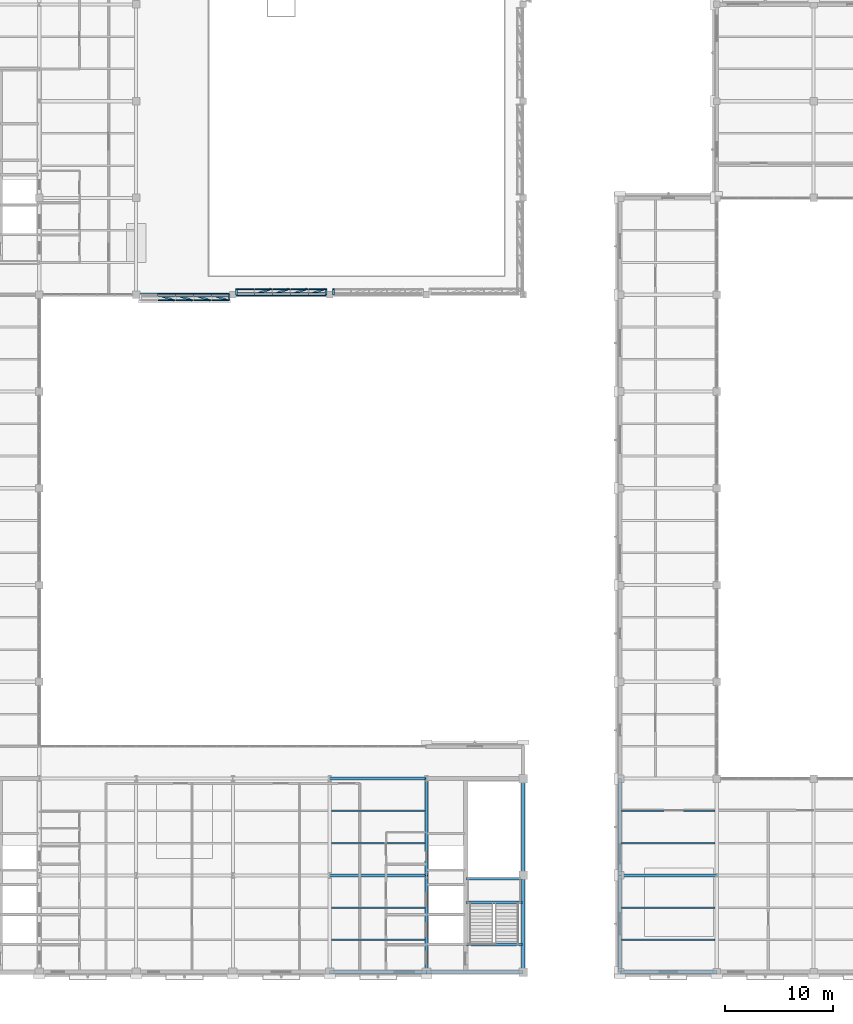
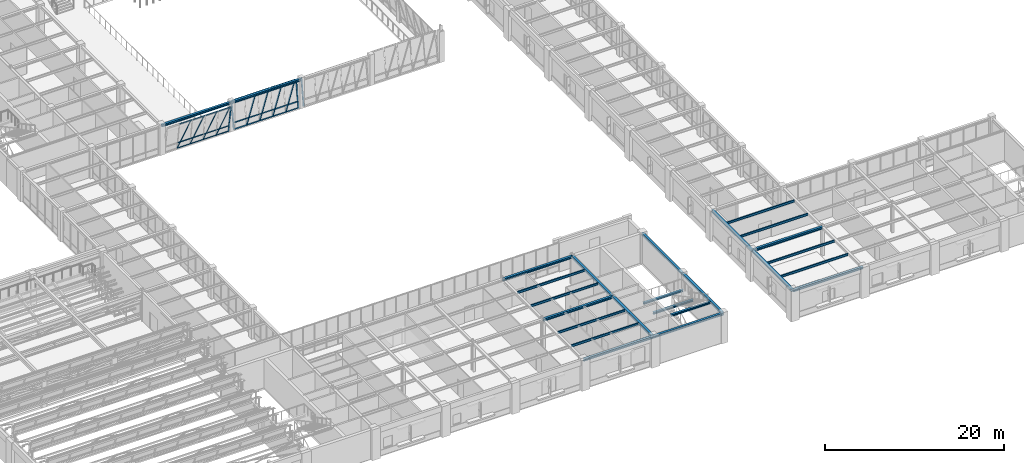
# One storey, part 46 of 108: 39 members, 25 beams, 3 elements without a shape of their own.
"""IFC4 building model written with IfcOpenShell, lengths in metres."""

from ifc_helpers import new_model, si_unit, direction, frame, origin, origin_2d, place, context, subcontext, project, spatial, hollow_rectangle, i_section, extrude, material, material_profile, profile_set, type_object, element, aggregate, save


model = new_model("IFC4")

# Units and contexts
model_context = context("Model", 3, precision=1e-05, world=origin(), true_north=direction((0.0, 1.0)))
body_context = subcontext(model_context, "Body", "Model", "MODEL_VIEW")
ifc_project = project(units=[si_unit("LENGTHUNIT", "METRE"), si_unit("AREAUNIT", "SQUARE_METRE"), si_unit("VOLUMEUNIT", "CUBIC_METRE"), si_unit("PLANEANGLEUNIT", "RADIAN"), si_unit("MASSUNIT", "GRAM", prefix="KILO")], contexts=[model_context])

# Site, building, storey
site_placement = place(None, origin())
site = spatial("IfcSite", under=ifc_project, at=site_placement, CompositionType="ELEMENT")
building_placement = place(site_placement, origin())
building = spatial("IfcBuilding", under=site, at=building_placement, Name="Lykobir Media Centre", CompositionType="ELEMENT")
storey_placement = place(building_placement, frame((0.0, 0.0, 15.0)))
storey = spatial("IfcBuildingStorey", under=building, at=storey_placement, Name="L03", CompositionType="ELEMENT", Elevation=15.0)

# Beams
ifc_material_1 = material(Name="Steel S355", Category="steel")
ifc_material_profile_1 = material_profile(ifc_material_1, i_section(OverallWidth=0.300048828125, OverallDepth=0.31005859375, WebThickness=0.009033203125, FlangeThickness=0.015380859375, at=origin_2d()), Name="HEA 320")
ifc_profile_set_1 = profile_set([ifc_material_profile_1], Name="Steel S355")
beam_type_1 = type_object("IfcBeamType", Name="BM-HEA320", PredefinedType="BEAM", material=ifc_profile_set_1)
for number, where, z_axis, x_axis, name in (
    (1, (72.0, 0.0, 3.804931640625), (0.0, 1.0, 0.0), (-1.0, 0.0, 0.0), "Beam BM-L03-0720-0000-0720-0090-1880"),
    (2, (72.0, 9.0, 3.804931640625), (0.0, 1.0, 0.0), (-1.0, 0.0, 0.0), "Beam BM-L03-0720-0090-0720-0180-1880"),
):
    element("IfcBeam", number, at=place(storey_placement, frame(where, z_axis=z_axis, x_axis=x_axis)), inside=storey, type_object=beam_type_1, Name=name, PredefinedType="BEAM", context=body_context, shape_type="SweptSolid", body=[
        extrude(i_section(OverallWidth=0.300048828125, OverallDepth=0.31005859375, WebThickness=0.009033203125, FlangeThickness=0.015380859375, at=origin_2d()), origin(), (0.0, 0.0, 1.0), 9.0),
    ])
ifc_material_profile_2 = material_profile(ifc_material_1, i_section(OverallWidth=0.300048828125, OverallDepth=0.330078125, WebThickness=0.009521484375, FlangeThickness=0.0166015625, at=origin_2d()), Name="HEA 340")
ifc_profile_set_2 = profile_set([ifc_material_profile_2], Name="Steel S355")
beam_type_2 = type_object("IfcBeamType", Name="BM-HEA340", PredefinedType="BEAM", material=ifc_profile_set_2)
for number, where, z_axis, x_axis, name in (
    (3, (63.0, 9.0, 3.794921875), (1.0, 0.0, 0.0), (0.0, 1.0, 0.0), "Beam BM-L03-0630-0090-0720-0090-1880"),
    (4, (90.0, 9.0, 3.794921875), (1.0, 0.0, 0.0), (0.0, 1.0, 0.0), "Beam BM-L03-0900-0090-0990-0090-1880"),
):
    element("IfcBeam", number, at=place(storey_placement, frame(where, z_axis=z_axis, x_axis=x_axis)), inside=storey, type_object=beam_type_2, Name=name, PredefinedType="BEAM", context=body_context, shape_type="SweptSolid", body=[
        extrude(i_section(OverallWidth=0.300048828125, OverallDepth=0.330078125, WebThickness=0.009521484375, FlangeThickness=0.0166015625, at=origin_2d()), origin(), (0.0, 0.0, 1.0), 9.0),
    ])
ifc_material_profile_3 = material_profile(ifc_material_1, i_section(OverallWidth=0.260009765625, OverallDepth=0.25, WebThickness=0.007568359375, FlangeThickness=0.012451171875, at=origin_2d()), Name="HEA 260")
ifc_profile_set_3 = profile_set([ifc_material_profile_3], Name="Steel S355")
beam_type_3 = type_object("IfcBeamType", Name="BM-ST260", PredefinedType="BEAM", material=ifc_profile_set_3)
beam_placement = place(storey_placement, frame((75.72998046875, 8.679931640625, 1.780029296875), z_axis=(1.0, 0.0, 0.0), x_axis=(0.0, 1.0, 0.0)))
element("IfcBeam", 5, at=beam_placement, inside=storey, type_object=beam_type_3, Name="ST-2 L03 half-landing support beam", PredefinedType="BEAM", context=body_context, shape_type="SweptSolid", body=[
    extrude(i_section(OverallWidth=0.260009765625, OverallDepth=0.25, WebThickness=0.007568359375, FlangeThickness=0.012451171875, at=origin_2d()), origin(), (0.0, 0.0, 1.0), 5.14013671875),
])
ifc_material_profile_4 = material_profile(ifc_material_1, i_section(OverallWidth=0.280029296875, OverallDepth=0.27001953125, WebThickness=0.008056640625, FlangeThickness=0.012939453125, at=origin_2d()), Name="HEA 280")
ifc_profile_set_4 = profile_set([ifc_material_profile_4], Name="Steel S355")
beam_type_4 = type_object("IfcBeamType", Name="BM-ST280", PredefinedType="BEAM", material=ifc_profile_set_4)
for number, where, z_axis, x_axis, name in (
    (6, (75.72998046875, 2.580078125, 3.824951171875), (1.0, 0.0, 0.0), (0.0, 1.0, 0.0), "ST-2 L03 arrival trimmer beam"),
    (7, (75.72998046875, 6.47998046875, 1.77001953125), (1.0, 0.0, 0.0), (0.0, 1.0, 0.0), "ST-2 L03 mid-landing trimmer beam"),
):
    element("IfcBeam", number, at=place(storey_placement, frame(where, z_axis=z_axis, x_axis=x_axis)), inside=storey, type_object=beam_type_4, Name=name, PredefinedType="BEAM", context=body_context, shape_type="SweptSolid", body=[
        extrude(i_section(OverallWidth=0.280029296875, OverallDepth=0.27001953125, WebThickness=0.008056640625, FlangeThickness=0.012939453125, at=origin_2d()), origin(), (0.0, 0.0, 1.0), 5.14013671875),
    ])

# Curtain wall, members
ifc_material_2 = material(Name="Anodized Aluminium AW-6060", Category="aluminium")
curtain_wall_type = type_object("IfcCurtainWallType", Name="CW-V6-CR3", PredefinedType="NOTDEFINED", material=ifc_material_2)
curtain_wall_1_placement = place(storey_placement, origin())
curtain_wall_1 = element("IfcCurtainWall", 8, at=curtain_wall_1_placement, inside=storey, type_object=curtain_wall_type, Name="Curtain wall CW2-L03-0121", PredefinedType="NOTDEFINED")
ifc_material_profile_5 = material_profile(ifc_material_2, hollow_rectangle(XDim=0.074951171875, YDim=0.179931640625, WallThickness=0.00390625, at=origin_2d()), Name="ALU MULLION 75x180")
ifc_profile_set_5 = profile_set([ifc_material_profile_5], Name="Anodized Aluminium AW-6060")
member_type_1 = type_object("IfcMemberType", Name="CWM-180", PredefinedType="MULLION", material=ifc_profile_set_5)
member_1_placement = place(storey_placement, frame((47.02294921875, 63.0, 0.0), z_axis=(0.374625015426, -0.132209716698, 0.917701851708), x_axis=(-0.865391860701, 0.305407295361, 0.397269821875)))
member_1 = element("IfcMember", 9, at=member_1_placement, type_object=member_type_1, Name="CW2-L03-0121 mullion 2", PredefinedType="MULLION", context=body_context, shape_type="SweptSolid", body=[
    extrude(hollow_rectangle(XDim=0.074951171875, YDim=0.179931640625, WallThickness=0.00390625, at=origin_2d()), origin(), (0.0, 0.0, 1.0), 3.9609375),
])
member_2_placement = place(storey_placement, frame((48.69091796875, 63.0, 0.0), z_axis=(0.374625015426, -0.132209716698, 0.917701851708), x_axis=(-0.865391860701, 0.305407295361, 0.397269821875)))
member_2 = element("IfcMember", 10, at=member_2_placement, type_object=member_type_1, Name="CW2-L03-0121 mullion 3", PredefinedType="MULLION", context=body_context, shape_type="SweptSolid", body=[
    extrude(hollow_rectangle(XDim=0.074951171875, YDim=0.179931640625, WallThickness=0.00390625, at=origin_2d()), origin(), (0.0, 0.0, 1.0), 3.9609375),
])
member_3_placement = place(storey_placement, frame((50.35888671875, 63.0, 0.0), z_axis=(0.374625015426, -0.132209716698, 0.917701851708), x_axis=(-0.865391860701, 0.305407295361, 0.397269821875)))
member_3 = element("IfcMember", 11, at=member_3_placement, type_object=member_type_1, Name="CW2-L03-0121 mullion 4", PredefinedType="MULLION", context=body_context, shape_type="SweptSolid", body=[
    extrude(hollow_rectangle(XDim=0.074951171875, YDim=0.179931640625, WallThickness=0.00390625, at=origin_2d()), origin(), (0.0, 0.0, 1.0), 3.9609375),
])
member_4_placement = place(storey_placement, frame((52.027099609375, 63.0, 0.0), z_axis=(0.374572027629, -0.132212769337, 0.917723040869), x_axis=(-0.865396069103, 0.305459037062, 0.397220870874)))
member_4 = element("IfcMember", 12, at=member_4_placement, type_object=member_type_1, Name="CW2-L03-0121 mullion 5", PredefinedType="MULLION", context=body_context, shape_type="SweptSolid", body=[
    extrude(hollow_rectangle(XDim=0.074951171875, YDim=0.179931640625, WallThickness=0.00390625, at=origin_2d()), origin(), (0.0, 0.0, 1.0), 3.9609375),
])
member_5_placement = place(storey_placement, frame((53.657470703125, 63.0, 0.0), z_axis=(0.0, -0.142593917485, 0.98978127619), x_axis=(0.0, 0.98978127619, 0.142593917485)))
member_5 = element("IfcMember", 13, at=member_5_placement, type_object=member_type_1, Name="CW2-L03-0121 mullion 6", PredefinedType="MULLION", context=body_context, shape_type="SweptSolid", body=[
    extrude(hollow_rectangle(XDim=0.074951171875, YDim=0.179931640625, WallThickness=0.00390625, at=origin_2d()), origin(), (0.0, 0.0, 1.0), 3.672607421875),
])

curtain_wall_2_placement = place(storey_placement, origin())
curtain_wall_2 = element("IfcCurtainWall", 14, at=curtain_wall_2_placement, inside=storey, type_object=curtain_wall_type, Name="Curtain wall CW2-L03-0122", PredefinedType="NOTDEFINED")
member_6_placement = place(storey_placement, frame((62.657470703125, 63.0, 0.0), z_axis=(0.0, 0.142593917485, 0.98978127619), x_axis=(0.0, 0.98978127619, -0.142593917485)))
member_6 = element("IfcMember", 15, at=member_6_placement, type_object=member_type_1, Name="CW2-L03-0122 mullion 1", PredefinedType="MULLION", context=body_context, shape_type="SweptSolid", body=[
    extrude(hollow_rectangle(XDim=0.074951171875, YDim=0.179931640625, WallThickness=0.00390625, at=origin_2d()), origin(), (0.0, 0.0, 1.0), 3.672607421875),
])
member_7_placement = place(storey_placement, frame((61.01708984375, 63.0, 0.0), z_axis=(0.374572027629, 0.132212769337, 0.917723040869), x_axis=(0.865396069103, 0.305459037062, -0.397220870874)))
member_7 = element("IfcMember", 16, at=member_7_placement, type_object=member_type_1, Name="CW2-L03-0122 mullion 2", PredefinedType="MULLION", context=body_context, shape_type="SweptSolid", body=[
    extrude(hollow_rectangle(XDim=0.074951171875, YDim=0.179931640625, WallThickness=0.00390625, at=origin_2d()), origin(), (0.0, 0.0, 1.0), 3.9609375),
])
member_8_placement = place(storey_placement, frame((59.339111328125, 63.0, 0.0), z_axis=(0.374572027629, 0.132212769337, 0.917723040869), x_axis=(0.865396069103, 0.305459037062, -0.397220870874)))
member_8 = element("IfcMember", 17, at=member_8_placement, type_object=member_type_1, Name="CW2-L03-0122 mullion 3", PredefinedType="MULLION", context=body_context, shape_type="SweptSolid", body=[
    extrude(hollow_rectangle(XDim=0.074951171875, YDim=0.179931640625, WallThickness=0.00390625, at=origin_2d()), origin(), (0.0, 0.0, 1.0), 3.9609375),
])
member_9_placement = place(storey_placement, frame((57.660888671875, 63.0, 0.0), z_axis=(0.374625015426, 0.132209716698, 0.917701851708), x_axis=(0.865391860701, 0.305407295361, -0.397269821875)))
member_9 = element("IfcMember", 18, at=member_9_placement, type_object=member_type_1, Name="CW2-L03-0122 mullion 4", PredefinedType="MULLION", context=body_context, shape_type="SweptSolid", body=[
    extrude(hollow_rectangle(XDim=0.074951171875, YDim=0.179931640625, WallThickness=0.00390625, at=origin_2d()), origin(), (0.0, 0.0, 1.0), 3.9609375),
])
member_10_placement = place(storey_placement, frame((55.98291015625, 63.0, 0.0), z_axis=(0.374625015426, 0.132209716698, 0.917701851708), x_axis=(0.865391860701, 0.305407295361, -0.397269821875)))
member_10 = element("IfcMember", 19, at=member_10_placement, type_object=member_type_1, Name="CW2-L03-0122 mullion 5", PredefinedType="MULLION", context=body_context, shape_type="SweptSolid", body=[
    extrude(hollow_rectangle(XDim=0.074951171875, YDim=0.179931640625, WallThickness=0.00390625, at=origin_2d()), origin(), (0.0, 0.0, 1.0), 3.9609375),
])
member_11_placement = place(storey_placement, frame((54.342529296875, 63.0, 0.0), z_axis=(0.0, 0.142593917485, 0.98978127619), x_axis=(0.0, 0.98978127619, -0.142593917485)))
member_11 = element("IfcMember", 20, at=member_11_placement, type_object=member_type_1, Name="CW2-L03-0122 mullion 6", PredefinedType="MULLION", context=body_context, shape_type="SweptSolid", body=[
    extrude(hollow_rectangle(XDim=0.074951171875, YDim=0.179931640625, WallThickness=0.00390625, at=origin_2d()), origin(), (0.0, 0.0, 1.0), 3.672607421875),
])

# Curtain wall, member
curtain_wall_3_placement = place(storey_placement, origin())
curtain_wall_3 = element("IfcCurtainWall", 21, at=curtain_wall_3_placement, inside=storey, type_object=curtain_wall_type, Name="Curtain wall CW2-L03-0123", PredefinedType="NOTDEFINED")
member_12_placement = place(storey_placement, frame((63.342529296875, 63.0, 0.0), z_axis=(0.0, 0.142593917485, 0.98978127619), x_axis=(0.0, 0.98978127619, -0.142593917485)))
member_12 = element("IfcMember", 22, at=member_12_placement, type_object=member_type_1, Name="CW2-L03-0123 mullion 6", PredefinedType="MULLION", context=body_context, shape_type="SweptSolid", body=[
    extrude(hollow_rectangle(XDim=0.074951171875, YDim=0.179931640625, WallThickness=0.00390625, at=origin_2d()), origin(), (0.0, 0.0, 1.0), 3.672607421875),
])
aggregate(curtain_wall_3, [member_12])

# Member
ifc_material_profile_6 = material_profile(ifc_material_2, hollow_rectangle(XDim=0.074951171875, YDim=0.14990234375, WallThickness=0.00341796875, at=origin_2d()), Name="ALU TRANSOM 75x150")
ifc_profile_set_6 = profile_set([ifc_material_profile_6], Name="Anodized Aluminium AW-6060")
member_type_2 = type_object("IfcMemberType", Name="CWT-150", PredefinedType="USERDEFINED", material=ifc_profile_set_6)
member_13_placement = place(storey_placement, frame((47.060546875, 62.99462890625, 0.037109375), z_axis=(1.0, 0.0, 0.0), x_axis=(0.0, 0.989776230908, 0.142628933706)))
member_13 = element("IfcMember", 23, at=member_13_placement, type_object=member_type_2, Name="CW2-L03-0121 transom 2.1", ObjectType="TRANSOM", PredefinedType="USERDEFINED", context=body_context, shape_type="SweptSolid", body=[
    extrude(hollow_rectangle(XDim=0.074951171875, YDim=0.14990234375, WallThickness=0.00341796875, at=origin_2d()), origin(), (0.0, 0.0, 1.0), 1.593017578125),
])

member_14_placement = place(storey_placement, frame((47.060546875, 62.87890625, 0.84130859375), z_axis=(1.0, 0.0, 0.0), x_axis=(0.0, 0.989776230908, 0.142628933706)))
member_14 = element("IfcMember", 24, at=member_14_placement, type_object=member_type_2, Name="CW2-L03-0121 transom 2.2", ObjectType="TRANSOM", PredefinedType="USERDEFINED", context=body_context, shape_type="SweptSolid", body=[
    extrude(hollow_rectangle(XDim=0.074951171875, YDim=0.14990234375, WallThickness=0.00341796875, at=origin_2d()), origin(), (0.0, 0.0, 1.0), 1.593017578125),
])

member_15_placement = place(storey_placement, frame((47.060546875, 62.4814453125, 3.597900390625), z_axis=(1.0, 0.0, 0.0), x_axis=(0.0, 0.989776230908, 0.142628933706)))
member_15 = element("IfcMember", 25, at=member_15_placement, type_object=member_type_2, Name="CW2-L03-0121 transom 2.3", ObjectType="TRANSOM", PredefinedType="USERDEFINED", context=body_context, shape_type="SweptSolid", body=[
    extrude(hollow_rectangle(XDim=0.074951171875, YDim=0.14990234375, WallThickness=0.00341796875, at=origin_2d()), origin(), (0.0, 0.0, 1.0), 1.593017578125),
])

member_16_placement = place(storey_placement, frame((48.728515625, 62.99462890625, 0.037109375), z_axis=(1.0, 0.0, 0.0), x_axis=(0.0, 0.989776230908, 0.142628933706)))
member_16 = element("IfcMember", 26, at=member_16_placement, type_object=member_type_2, Name="CW2-L03-0121 transom 3.1", ObjectType="TRANSOM", PredefinedType="USERDEFINED", context=body_context, shape_type="SweptSolid", body=[
    extrude(hollow_rectangle(XDim=0.074951171875, YDim=0.14990234375, WallThickness=0.00341796875, at=origin_2d()), origin(), (0.0, 0.0, 1.0), 1.593017578125),
])

member_17_placement = place(storey_placement, frame((48.728515625, 62.87890625, 0.84130859375), z_axis=(1.0, 0.0, 0.0), x_axis=(0.0, 0.989776230908, 0.142628933706)))
member_17 = element("IfcMember", 27, at=member_17_placement, type_object=member_type_2, Name="CW2-L03-0121 transom 3.2", ObjectType="TRANSOM", PredefinedType="USERDEFINED", context=body_context, shape_type="SweptSolid", body=[
    extrude(hollow_rectangle(XDim=0.074951171875, YDim=0.14990234375, WallThickness=0.00341796875, at=origin_2d()), origin(), (0.0, 0.0, 1.0), 1.593017578125),
])

member_18_placement = place(storey_placement, frame((48.728515625, 62.4814453125, 3.597900390625), z_axis=(1.0, 0.0, 0.0), x_axis=(0.0, 0.989776230908, 0.142628933706)))
member_18 = element("IfcMember", 28, at=member_18_placement, type_object=member_type_2, Name="CW2-L03-0121 transom 3.3", ObjectType="TRANSOM", PredefinedType="USERDEFINED", context=body_context, shape_type="SweptSolid", body=[
    extrude(hollow_rectangle(XDim=0.074951171875, YDim=0.14990234375, WallThickness=0.00341796875, at=origin_2d()), origin(), (0.0, 0.0, 1.0), 1.593017578125),
])

member_19_placement = place(storey_placement, frame((50.396484375, 62.99462890625, 0.037109375), z_axis=(1.0, 0.0, 0.0), x_axis=(0.0, 0.989776230908, 0.142628933706)))
member_19 = element("IfcMember", 29, at=member_19_placement, type_object=member_type_2, Name="CW2-L03-0121 transom 4.1", ObjectType="TRANSOM", PredefinedType="USERDEFINED", context=body_context, shape_type="SweptSolid", body=[
    extrude(hollow_rectangle(XDim=0.074951171875, YDim=0.14990234375, WallThickness=0.00341796875, at=origin_2d()), origin(), (0.0, 0.0, 1.0), 1.593017578125),
])

member_20_placement = place(storey_placement, frame((50.396484375, 62.87890625, 0.84130859375), z_axis=(1.0, 0.0, 0.0), x_axis=(0.0, 0.989776230908, 0.142628933706)))
member_20 = element("IfcMember", 30, at=member_20_placement, type_object=member_type_2, Name="CW2-L03-0121 transom 4.2", ObjectType="TRANSOM", PredefinedType="USERDEFINED", context=body_context, shape_type="SweptSolid", body=[
    extrude(hollow_rectangle(XDim=0.074951171875, YDim=0.14990234375, WallThickness=0.00341796875, at=origin_2d()), origin(), (0.0, 0.0, 1.0), 1.593017578125),
])

member_21_placement = place(storey_placement, frame((50.396484375, 62.4814453125, 3.597900390625), z_axis=(1.0, 0.0, 0.0), x_axis=(0.0, 0.989776230908, 0.142628933706)))
member_21 = element("IfcMember", 31, at=member_21_placement, type_object=member_type_2, Name="CW2-L03-0121 transom 4.3", ObjectType="TRANSOM", PredefinedType="USERDEFINED", context=body_context, shape_type="SweptSolid", body=[
    extrude(hollow_rectangle(XDim=0.074951171875, YDim=0.14990234375, WallThickness=0.00341796875, at=origin_2d()), origin(), (0.0, 0.0, 1.0), 1.593017578125),
])

member_22_placement = place(storey_placement, frame((52.064453125, 62.99462890625, 0.037109375), z_axis=(1.0, 0.0, 0.0), x_axis=(0.0, 0.989776230908, 0.142628933706)))
member_22 = element("IfcMember", 32, at=member_22_placement, type_object=member_type_2, Name="CW2-L03-0121 transom 5.1", ObjectType="TRANSOM", PredefinedType="USERDEFINED", context=body_context, shape_type="SweptSolid", body=[
    extrude(hollow_rectangle(XDim=0.074951171875, YDim=0.14990234375, WallThickness=0.00341796875, at=origin_2d()), origin(), (0.0, 0.0, 1.0), 1.5556640625),
])

member_23_placement = place(storey_placement, frame((52.064453125, 62.87890625, 0.84130859375), z_axis=(1.0, 0.0, 0.0), x_axis=(0.0, 0.989776230908, 0.142628933706)))
member_23 = element("IfcMember", 33, at=member_23_placement, type_object=member_type_2, Name="CW2-L03-0121 transom 5.2", ObjectType="TRANSOM", PredefinedType="USERDEFINED", context=body_context, shape_type="SweptSolid", body=[
    extrude(hollow_rectangle(XDim=0.074951171875, YDim=0.14990234375, WallThickness=0.00341796875, at=origin_2d()), origin(), (0.0, 0.0, 1.0), 1.5556640625),
])

member_24_placement = place(storey_placement, frame((52.064453125, 62.4814453125, 3.597900390625), z_axis=(1.0, 0.0, 0.0), x_axis=(0.0, 0.989776230908, 0.142628933706)))
member_24 = element("IfcMember", 34, at=member_24_placement, type_object=member_type_2, Name="CW2-L03-0121 transom 5.3", ObjectType="TRANSOM", PredefinedType="USERDEFINED", context=body_context, shape_type="SweptSolid", body=[
    extrude(hollow_rectangle(XDim=0.074951171875, YDim=0.14990234375, WallThickness=0.00341796875, at=origin_2d()), origin(), (0.0, 0.0, 1.0), 1.5556640625),
])

aggregate(curtain_wall_1, [member_1, member_2, member_3, member_4, member_5, member_13, member_14, member_15, member_16, member_17, member_18, member_19, member_20, member_21, member_22, member_23, member_24])

member_25_placement = place(storey_placement, frame((62.6201171875, 63.00537109375, 0.037109375), z_axis=(-1.0, 0.0, 0.0), x_axis=(0.0, -0.989776230908, 0.142628933706)))
member_25 = element("IfcMember", 35, at=member_25_placement, type_object=member_type_2, Name="CW2-L03-0122 transom 1.1", ObjectType="TRANSOM", PredefinedType="USERDEFINED", context=body_context, shape_type="SweptSolid", body=[
    extrude(hollow_rectangle(XDim=0.074951171875, YDim=0.14990234375, WallThickness=0.00341796875, at=origin_2d()), origin(), (0.0, 0.0, 1.0), 1.565673828125),
])

member_26_placement = place(storey_placement, frame((62.6201171875, 63.12109375, 0.84130859375), z_axis=(-1.0, 0.0, 0.0), x_axis=(0.0, -0.989776230908, 0.142628933706)))
member_26 = element("IfcMember", 36, at=member_26_placement, type_object=member_type_2, Name="CW2-L03-0122 transom 1.2", ObjectType="TRANSOM", PredefinedType="USERDEFINED", context=body_context, shape_type="SweptSolid", body=[
    extrude(hollow_rectangle(XDim=0.074951171875, YDim=0.14990234375, WallThickness=0.00341796875, at=origin_2d()), origin(), (0.0, 0.0, 1.0), 1.565673828125),
])

member_27_placement = place(storey_placement, frame((62.6201171875, 63.5185546875, 3.597900390625), z_axis=(-1.0, 0.0, 0.0), x_axis=(0.0, -0.989776230908, 0.142628933706)))
member_27 = element("IfcMember", 37, at=member_27_placement, type_object=member_type_2, Name="CW2-L03-0122 transom 1.3", ObjectType="TRANSOM", PredefinedType="USERDEFINED", context=body_context, shape_type="SweptSolid", body=[
    extrude(hollow_rectangle(XDim=0.074951171875, YDim=0.14990234375, WallThickness=0.00341796875, at=origin_2d()), origin(), (0.0, 0.0, 1.0), 1.565673828125),
])

member_28_placement = place(storey_placement, frame((60.9794921875, 63.00537109375, 0.037109375), z_axis=(-1.0, 0.0, 0.0), x_axis=(0.0, -0.989776230908, 0.142628933706)))
member_28 = element("IfcMember", 38, at=member_28_placement, type_object=member_type_2, Name="CW2-L03-0122 transom 2.1", ObjectType="TRANSOM", PredefinedType="USERDEFINED", context=body_context, shape_type="SweptSolid", body=[
    extrude(hollow_rectangle(XDim=0.074951171875, YDim=0.14990234375, WallThickness=0.00341796875, at=origin_2d()), origin(), (0.0, 0.0, 1.0), 1.60302734375),
])

member_29_placement = place(storey_placement, frame((60.9794921875, 63.12109375, 0.84130859375), z_axis=(-1.0, 0.0, 0.0), x_axis=(0.0, -0.989776230908, 0.142628933706)))
member_29 = element("IfcMember", 39, at=member_29_placement, type_object=member_type_2, Name="CW2-L03-0122 transom 2.2", ObjectType="TRANSOM", PredefinedType="USERDEFINED", context=body_context, shape_type="SweptSolid", body=[
    extrude(hollow_rectangle(XDim=0.074951171875, YDim=0.14990234375, WallThickness=0.00341796875, at=origin_2d()), origin(), (0.0, 0.0, 1.0), 1.60302734375),
])

member_30_placement = place(storey_placement, frame((60.9794921875, 63.5185546875, 3.597900390625), z_axis=(-1.0, 0.0, 0.0), x_axis=(0.0, -0.989776230908, 0.142628933706)))
member_30 = element("IfcMember", 40, at=member_30_placement, type_object=member_type_2, Name="CW2-L03-0122 transom 2.3", ObjectType="TRANSOM", PredefinedType="USERDEFINED", context=body_context, shape_type="SweptSolid", body=[
    extrude(hollow_rectangle(XDim=0.074951171875, YDim=0.14990234375, WallThickness=0.00341796875, at=origin_2d()), origin(), (0.0, 0.0, 1.0), 1.60302734375),
])

member_31_placement = place(storey_placement, frame((59.301513671875, 63.00537109375, 0.037109375), z_axis=(-1.0, 0.0, 0.0), x_axis=(0.0, -0.989776230908, 0.142628933706)))
member_31 = element("IfcMember", 41, at=member_31_placement, type_object=member_type_2, Name="CW2-L03-0122 transom 3.1", ObjectType="TRANSOM", PredefinedType="USERDEFINED", context=body_context, shape_type="SweptSolid", body=[
    extrude(hollow_rectangle(XDim=0.074951171875, YDim=0.14990234375, WallThickness=0.00341796875, at=origin_2d()), origin(), (0.0, 0.0, 1.0), 1.60302734375),
])

member_32_placement = place(storey_placement, frame((59.301513671875, 63.12109375, 0.84130859375), z_axis=(-1.0, 0.0, 0.0), x_axis=(0.0, -0.989776230908, 0.142628933706)))
member_32 = element("IfcMember", 42, at=member_32_placement, type_object=member_type_2, Name="CW2-L03-0122 transom 3.2", ObjectType="TRANSOM", PredefinedType="USERDEFINED", context=body_context, shape_type="SweptSolid", body=[
    extrude(hollow_rectangle(XDim=0.074951171875, YDim=0.14990234375, WallThickness=0.00341796875, at=origin_2d()), origin(), (0.0, 0.0, 1.0), 1.60302734375),
])

member_33_placement = place(storey_placement, frame((59.301513671875, 63.5185546875, 3.597900390625), z_axis=(-1.0, 0.0, 0.0), x_axis=(0.0, -0.989776230908, 0.142628933706)))
member_33 = element("IfcMember", 43, at=member_33_placement, type_object=member_type_2, Name="CW2-L03-0122 transom 3.3", ObjectType="TRANSOM", PredefinedType="USERDEFINED", context=body_context, shape_type="SweptSolid", body=[
    extrude(hollow_rectangle(XDim=0.074951171875, YDim=0.14990234375, WallThickness=0.00341796875, at=origin_2d()), origin(), (0.0, 0.0, 1.0), 1.60302734375),
])

member_34_placement = place(storey_placement, frame((57.62353515625, 63.00537109375, 0.037109375), z_axis=(-1.0, 0.0, 0.0), x_axis=(0.0, -0.989776230908, 0.142628933706)))
member_34 = element("IfcMember", 44, at=member_34_placement, type_object=member_type_2, Name="CW2-L03-0122 transom 4.1", ObjectType="TRANSOM", PredefinedType="USERDEFINED", context=body_context, shape_type="SweptSolid", body=[
    extrude(hollow_rectangle(XDim=0.074951171875, YDim=0.14990234375, WallThickness=0.00341796875, at=origin_2d()), origin(), (0.0, 0.0, 1.0), 1.60302734375),
])

member_35_placement = place(storey_placement, frame((57.62353515625, 63.12109375, 0.84130859375), z_axis=(-1.0, 0.0, 0.0), x_axis=(0.0, -0.989776230908, 0.142628933706)))
member_35 = element("IfcMember", 45, at=member_35_placement, type_object=member_type_2, Name="CW2-L03-0122 transom 4.2", ObjectType="TRANSOM", PredefinedType="USERDEFINED", context=body_context, shape_type="SweptSolid", body=[
    extrude(hollow_rectangle(XDim=0.074951171875, YDim=0.14990234375, WallThickness=0.00341796875, at=origin_2d()), origin(), (0.0, 0.0, 1.0), 1.60302734375),
])

member_36_placement = place(storey_placement, frame((57.62353515625, 63.5185546875, 3.597900390625), z_axis=(-1.0, 0.0, 0.0), x_axis=(0.0, -0.989776230908, 0.142628933706)))
member_36 = element("IfcMember", 46, at=member_36_placement, type_object=member_type_2, Name="CW2-L03-0122 transom 4.3", ObjectType="TRANSOM", PredefinedType="USERDEFINED", context=body_context, shape_type="SweptSolid", body=[
    extrude(hollow_rectangle(XDim=0.074951171875, YDim=0.14990234375, WallThickness=0.00341796875, at=origin_2d()), origin(), (0.0, 0.0, 1.0), 1.60302734375),
])

member_37_placement = place(storey_placement, frame((55.945556640625, 63.00537109375, 0.037109375), z_axis=(-1.0, 0.0, 0.0), x_axis=(0.0, -0.989776230908, 0.142628933706)))
member_37 = element("IfcMember", 47, at=member_37_placement, type_object=member_type_2, Name="CW2-L03-0122 transom 5.1", ObjectType="TRANSOM", PredefinedType="USERDEFINED", context=body_context, shape_type="SweptSolid", body=[
    extrude(hollow_rectangle(XDim=0.074951171875, YDim=0.14990234375, WallThickness=0.00341796875, at=origin_2d()), origin(), (0.0, 0.0, 1.0), 1.565673828125),
])

member_38_placement = place(storey_placement, frame((55.945556640625, 63.12109375, 0.84130859375), z_axis=(-1.0, 0.0, 0.0), x_axis=(0.0, -0.989776230908, 0.142628933706)))
member_38 = element("IfcMember", 48, at=member_38_placement, type_object=member_type_2, Name="CW2-L03-0122 transom 5.2", ObjectType="TRANSOM", PredefinedType="USERDEFINED", context=body_context, shape_type="SweptSolid", body=[
    extrude(hollow_rectangle(XDim=0.074951171875, YDim=0.14990234375, WallThickness=0.00341796875, at=origin_2d()), origin(), (0.0, 0.0, 1.0), 1.565673828125),
])

member_39_placement = place(storey_placement, frame((55.945556640625, 63.5185546875, 3.597900390625), z_axis=(-1.0, 0.0, 0.0), x_axis=(0.0, -0.989776230908, 0.142628933706)))
member_39 = element("IfcMember", 49, at=member_39_placement, type_object=member_type_2, Name="CW2-L03-0122 transom 5.3", ObjectType="TRANSOM", PredefinedType="USERDEFINED", context=body_context, shape_type="SweptSolid", body=[
    extrude(hollow_rectangle(XDim=0.074951171875, YDim=0.14990234375, WallThickness=0.00341796875, at=origin_2d()), origin(), (0.0, 0.0, 1.0), 1.565673828125),
])

aggregate(curtain_wall_2, [member_6, member_7, member_8, member_9, member_10, member_11, member_25, member_26, member_27, member_28, member_29, member_30, member_31, member_32, member_33, member_34, member_35, member_36, member_37, member_38, member_39])

# Beams
ifc_material_profile_7 = material_profile(ifc_material_1, i_section(OverallWidth=0.14990234375, OverallDepth=0.300048828125, WebThickness=0.007080078125, FlangeThickness=0.0107421875, at=origin_2d()), Name="IPE 300")
ifc_profile_set_7 = profile_set([ifc_material_profile_7], Name="Steel S355")
beam_type_5 = type_object("IfcBeamType", Name="JS-IPE300", PredefinedType="JOIST", material=ifc_profile_set_7)
for number, where, z_axis, x_axis, name in (
    (50, (63.14990234375, 3.0, 3.81005859375), (1.0, 0.0, 0.0), (0.0, 1.0, 0.0), "Beam BM-L03-0632-0030-0718-0030-1881"),
    (51, (63.14990234375, 6.0, 3.81005859375), (1.0, 0.0, 0.0), (0.0, 1.0, 0.0), "Beam BM-L03-0632-0060-0718-0060-1881"),
    (52, (63.14990234375, 12.0, 3.81005859375), (1.0, 0.0, 0.0), (0.0, 1.0, 0.0), "Beam BM-L03-0632-0120-0718-0120-1881"),
    (53, (63.14990234375, 15.0, 3.81005859375), (1.0, 0.0, 0.0), (0.0, 1.0, 0.0), "Beam BM-L03-0632-0150-0718-0150-1881"),
    (54, (90.14990234375, 3.0, 3.81005859375), (1.0, 0.0, 0.0), (0.0, 1.0, 0.0), "Beam BM-L03-0902-0030-0988-0030-1881"),
    (55, (90.14990234375, 6.0, 3.81005859375), (1.0, 0.0, 0.0), (0.0, 1.0, 0.0), "Beam BM-L03-0902-0060-0988-0060-1881"),
    (56, (90.14990234375, 12.0, 3.81005859375), (1.0, 0.0, 0.0), (0.0, 1.0, 0.0), "Beam BM-L03-0902-0120-0988-0120-1881"),
    (57, (90.14990234375, 15.0, 3.81005859375), (1.0, 0.0, 0.0), (0.0, 1.0, 0.0), "Beam BM-L03-0902-0150-0988-0150-1881"),
):
    element("IfcBeam", number, at=place(storey_placement, frame(where, z_axis=z_axis, x_axis=x_axis)), inside=storey, type_object=beam_type_5, Name=name, PredefinedType="JOIST", context=body_context, shape_type="SweptSolid", body=[
        extrude(i_section(OverallWidth=0.14990234375, OverallDepth=0.300048828125, WebThickness=0.007080078125, FlangeThickness=0.0107421875, at=origin_2d()), origin(), (0.0, 0.0, 1.0), 8.7001953125),
    ])
ifc_material_profile_8 = material_profile(ifc_material_1, i_section(OverallWidth=0.300048828125, OverallDepth=0.31005859375, WebThickness=0.009033203125, FlangeThickness=0.015380859375, at=origin_2d()), Name="HEA 320")
ifc_profile_set_8 = profile_set([ifc_material_profile_8], Name="Steel S355")
beam_type_6 = type_object("IfcBeamType", Name="SP-HEA320", PredefinedType="SPANDREL", material=ifc_profile_set_8)
for number, where, z_axis, x_axis, name in (
    (58, (63.0, 18.0, 3.804931640625), (1.0, 0.0, 0.0), (0.0, 1.0, 0.0), "Beam BM-L03-0630-0180-0720-0180-1880"),
    (59, (45.0, 63.0, 3.804931640625), (1.0, 0.0, 0.0), (0.0, 1.0, 0.0), "Beam BM-L03-0450-0630-0540-0630-1880"),
    (60, (54.0, 63.0, 3.804931640625), (1.0, 0.0, 0.0), (0.0, 1.0, 0.0), "Beam BM-L03-0540-0630-0630-0630-1880"),
):
    element("IfcBeam", number, at=place(storey_placement, frame(where, z_axis=z_axis, x_axis=x_axis)), inside=storey, type_object=beam_type_6, Name=name, PredefinedType="SPANDREL", context=body_context, shape_type="SweptSolid", body=[
        extrude(i_section(OverallWidth=0.300048828125, OverallDepth=0.31005859375, WebThickness=0.009033203125, FlangeThickness=0.015380859375, at=origin_2d()), origin(), (0.0, 0.0, 1.0), 9.0),
    ])
ifc_material_profile_9 = material_profile(ifc_material_1, i_section(OverallWidth=0.300048828125, OverallDepth=0.31005859375, WebThickness=0.009033203125, FlangeThickness=0.015380859375, at=origin_2d()), Name="HEA 320")
ifc_profile_set_9 = profile_set([ifc_material_profile_9], Name="Steel S355")
beam_type_7 = type_object("IfcBeamType", Name="SP-HEA320-E", PredefinedType="SPANDREL", material=ifc_profile_set_9)
for number, where, z_axis, x_axis, name in (
    (61, (63.0, 0.0, 3.804931640625), (1.0, 0.0, 0.0), (0.0, 1.0, 0.0), "Beam BM-L03-0630-0000-0720-0000-1880"),
    (62, (72.0, 0.0, 3.804931640625), (1.0, 0.0, 0.0), (0.0, 1.0, 0.0), "Beam BM-L03-0720-0000-0810-0000-1880"),
    (63, (90.0, 0.0, 3.804931640625), (1.0, 0.0, 0.0), (0.0, 1.0, 0.0), "Beam BM-L03-0900-0000-0990-0000-1880"),
    (64, (81.0, 0.0, 3.804931640625), (0.0, 1.0, 0.0), (-1.0, 0.0, 0.0), "Beam BM-L03-0810-0000-0810-0090-1880"),
    (65, (81.0, 9.0, 3.804931640625), (0.0, 1.0, 0.0), (-1.0, 0.0, 0.0), "Beam BM-L03-0810-0090-0810-0180-1880"),
    (66, (90.0, 0.0, 3.804931640625), (0.0, 1.0, 0.0), (-1.0, 0.0, 0.0), "Beam BM-L03-0900-0000-0900-0090-1880"),
    (67, (90.0, 9.0, 3.804931640625), (0.0, 1.0, 0.0), (-1.0, 0.0, 0.0), "Beam BM-L03-0900-0090-0900-0180-1880"),
):
    element("IfcBeam", number, at=place(storey_placement, frame(where, z_axis=z_axis, x_axis=x_axis)), inside=storey, type_object=beam_type_7, Name=name, PredefinedType="SPANDREL", context=body_context, shape_type="SweptSolid", body=[
        extrude(i_section(OverallWidth=0.300048828125, OverallDepth=0.31005859375, WebThickness=0.009033203125, FlangeThickness=0.015380859375, at=origin_2d()), origin(), (0.0, 0.0, 1.0), 9.0),
    ])

save(model, "model.ifc")
